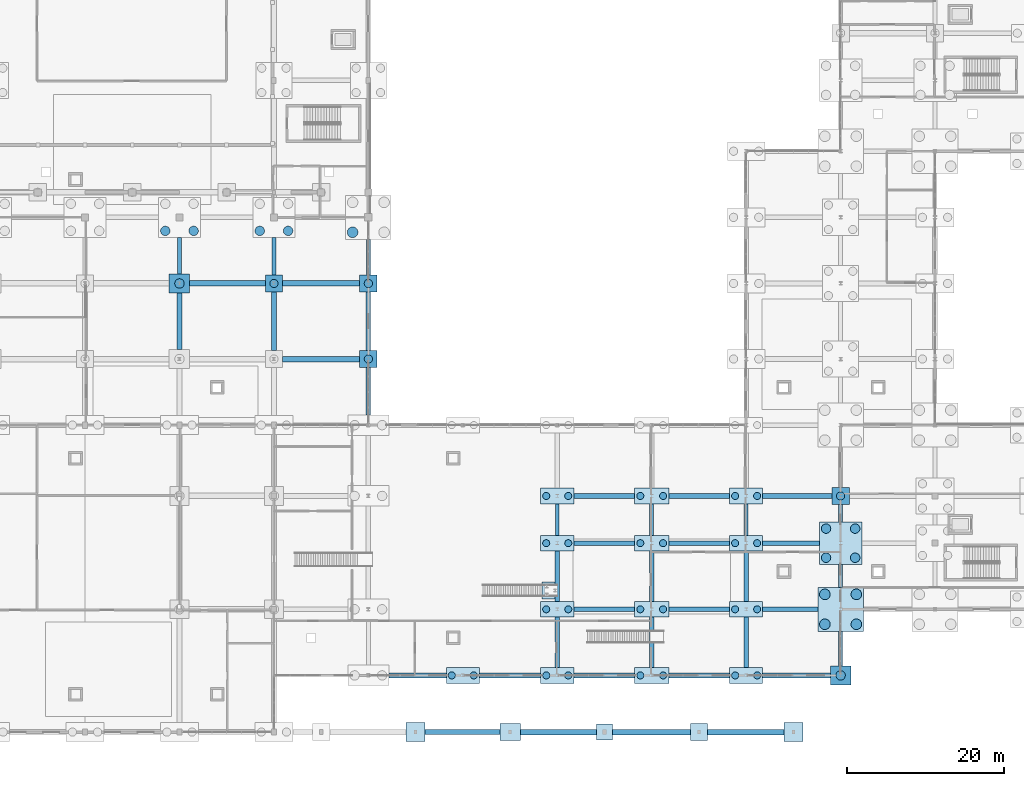
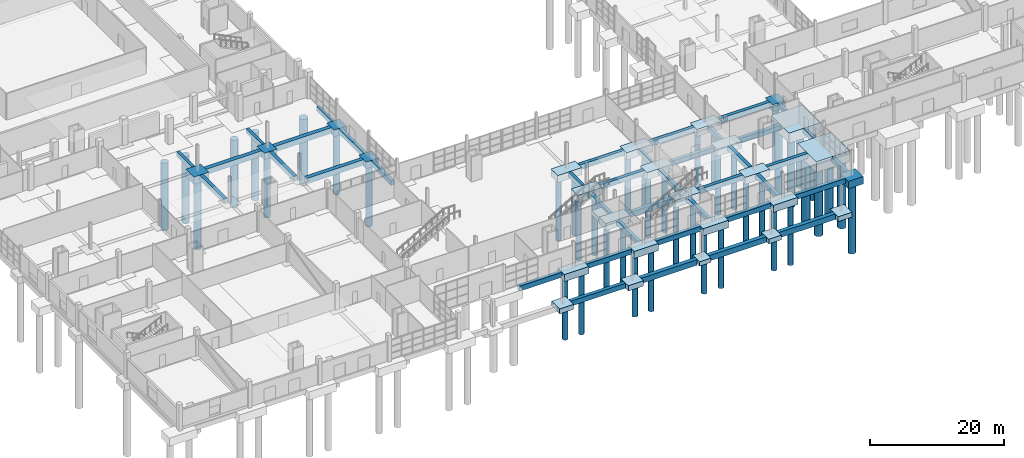
# One storey, part 2 of 82: 67 footings, 45 piles.
"""IFC4 building model written with IfcOpenShell, lengths in metres."""

import ifcopenshell
import ifcopenshell.guid

model = None  # the IFC model being written
_history = None  # IfcOwnerHistory: only IFC2X3 demands one
_inside = {}  # id of a spatial element -> (the spatial element, [elements in it])
_under = {}  # id of a project, library or spatial element -> (it, [spatial elements below it])
_declared = {}  # id of a project -> (the project, [libraries it declares])
_typed = {}  # id of a type object -> (the type object, [elements of that type])
_made_of = {}  # id of a material, layer set ... -> (it, [elements and type objects made of it])


def new_model(schema):
    """Start an empty IFC model of exactly this schema.

    Asked for "IFC4X3", IfcOpenShell would pick the latest addendum, in which some entities
    have other attributes; the version numbers below select the first issue.
    IFC2X3 requires an IfcOwnerHistory on every rooted entity: one is made here for all.
    """
    global model, _history
    if schema == "IFC4X3":
        model = ifcopenshell.file(schema_version=(4, 3, 0, 0))
    else:
        model = ifcopenshell.file(schema=schema)
    _inside.clear()
    _under.clear()
    _declared.clear()
    _typed.clear()
    _made_of.clear()
    _history = None
    if model.schema == "IFC2X3":
        org = make("IfcOrganization", Name="unknown")
        user = make(
            "IfcPersonAndOrganization",
            ThePerson=make("IfcPerson", FamilyName="unknown"),
            TheOrganization=org,
        )
        app = make(
            "IfcApplication",
            ApplicationDeveloper=org,
            Version="unknown",
            ApplicationFullName="unknown",
            ApplicationIdentifier="unknown",
        )
        _history = make(
            "IfcOwnerHistory",
            OwningUser=user,
            OwningApplication=app,
            ChangeAction="ADDED",
            CreationDate=0,
        )
    return model


def make(cls, **values):
    """One entity of the class cls with the attributes given. An attribute that is None is left unset."""
    return model.create_entity(
        cls, **{name: value for name, value in values.items() if value is not None}
    )


def rooted(cls, **values):
    """An entity with a GlobalId (a new one), such as an element, a storey or a relation."""
    return make(cls, GlobalId=ifcopenshell.guid.new(), OwnerHistory=_history, **values)


def si_unit(unit_type, name, prefix=None):
    """IfcSIUnit, for example si_unit("LENGTHUNIT", "METRE", prefix="MILLI")."""
    return make("IfcSIUnit", UnitType=unit_type, Prefix=prefix, Name=name)


def assignment(units):
    """IfcUnitAssignment: the units of a project."""
    return None if units is None else make("IfcUnitAssignment", Units=units)


def point(xyz):
    """IfcCartesianPoint."""
    return None if xyz is None else make("IfcCartesianPoint", Coordinates=xyz)


def direction(xyz):
    """IfcDirection."""
    return None if xyz is None else make("IfcDirection", DirectionRatios=xyz)


def frame(location, z_axis=None, x_axis=None):
    """IfcAxis2Placement3D, a coordinate frame: its origin and axes. An axis left out is left unset."""
    return make(
        "IfcAxis2Placement3D",
        Location=point(location),
        Axis=direction(z_axis),
        RefDirection=direction(x_axis),
    )


def frame_2d(location, x_axis=None):
    """IfcAxis2Placement2D, a coordinate frame in the plane: its origin and x axis."""
    return make(
        "IfcAxis2Placement2D", Location=point(location), RefDirection=direction(x_axis)
    )


def origin():
    """The frame at (0, 0, 0) with its axes left unset."""
    return frame((0.0, 0.0, 0.0))


def origin_2d():
    """The frame at (0, 0) in the plane with its x axis left unset."""
    return frame_2d((0.0, 0.0))


def place(relative_to, where):
    """IfcLocalPlacement: puts the frame where relative to a parent placement (None: the world)."""
    return make(
        "IfcLocalPlacement", PlacementRelTo=relative_to, RelativePlacement=where
    )


def context(
    kind, dimensions, precision=None, world=None, true_north=None, identifier=None
):
    """IfcGeometricRepresentationContext, for example the 3D "Model" context."""
    return make(
        "IfcGeometricRepresentationContext",
        ContextIdentifier=identifier,
        ContextType=kind,
        CoordinateSpaceDimension=dimensions,
        Precision=precision,
        WorldCoordinateSystem=world,
        TrueNorth=true_north,
    )


def subcontext(parent, identifier, kind, view, scale=None):
    """IfcGeometricRepresentationSubContext, for example "Body" below "Model"."""
    return make(
        "IfcGeometricRepresentationSubContext",
        ContextIdentifier=identifier,
        ContextType=kind,
        ParentContext=parent,
        TargetScale=scale,
        TargetView=view,
    )


def project(units=None, contexts=None):
    """IfcProject with its units and contexts."""
    return rooted(
        "IfcProject",
        Name="project",
        RepresentationContexts=contexts,
        UnitsInContext=assignment(units),
    )


def spatial(cls, under=None, at=None, **own):
    """A site, building, storey or space (cls), placed at a placement, below another one or the project."""
    s = rooted(cls, ObjectPlacement=at, **own)
    if under is not None:
        _under.setdefault(under.id(), (under, []))[1].append(s)
    return s


def profile(cls, at=None, kind="AREA", **sizes):
    """A parametric profile (cls). Its sizes go by their IFC names, for example OverallWidth=200.0."""
    return make(cls, ProfileType=kind, Position=at, **sizes)


def rectangle(**sizes):
    """IfcRectangleProfileDef."""
    return profile("IfcRectangleProfileDef", **sizes)


def circle(**sizes):
    """IfcCircleProfileDef."""
    return profile("IfcCircleProfileDef", **sizes)


def extrude(swept, where, along, depth):
    """IfcExtrudedAreaSolid: the profile swept, set in the frame where, extruded along a direction by depth."""
    return make(
        "IfcExtrudedAreaSolid",
        SweptArea=swept,
        Position=where,
        ExtrudedDirection=direction(along),
        Depth=depth,
    )


def shape(context_of_items, identifier, shape_type, items):
    """IfcShapeRepresentation: the items that make up one representation, for example the "Body"."""
    return make(
        "IfcShapeRepresentation",
        ContextOfItems=context_of_items,
        RepresentationIdentifier=identifier,
        RepresentationType=shape_type,
        Items=items,
    )


def material(Name=None, Category=None):
    """IfcMaterial."""
    return make("IfcMaterial", Name=Name, Category=Category)


def material_profile(
    of_material, cross_section, Name=None, Category=None, Priority=None
):
    """IfcMaterialProfile: a cross section and its material."""
    return make(
        "IfcMaterialProfile",
        Name=Name,
        Material=of_material,
        Profile=cross_section,
        Priority=Priority,
        Category=Category,
    )


def profile_set(profiles, Name=None, composite=None):
    """IfcMaterialProfileSet."""
    return make(
        "IfcMaterialProfileSet",
        Name=Name,
        MaterialProfiles=profiles,
        CompositeProfile=composite,
    )


def made_of(thing, what):
    """Note that an element or type object is made of a material, layer set ...; save() writes the relation."""
    if what is not None:
        _made_of.setdefault(what.id(), (what, []))[1].append(thing)
    return thing


def type_object(cls, material=None, **own):
    """A type object (cls), such as IfcWallType, which elements share."""
    return made_of(rooted(cls, **own), material)


def element(
    cls,
    number,
    at=None,
    inside=None,
    cuts=None,
    type_object=None,
    material=None,
    context=None,
    identifier="Body",
    shape_type=None,
    held_by="IfcProductDefinitionShape",
    body=None,
    shapes=None,
    **own,
):
    """One element of the class cls, such as IfcWall. Its Tag is "e" and its number.

    at: its placement. inside: the storey or other place that contains it. cuts: it is an
    opening in that element (IfcRelVoidsElement). A single representation is given by context,
    identifier, shape_type and body (its items); several are given by shapes. held_by: the class
    of the entity that holds the representations. save() writes the other relations.
    """
    e = rooted(cls, Tag="e%d" % number, ObjectPlacement=at, **own)
    if body is not None:
        shapes = [shape(context, identifier, shape_type, body)]
    if shapes is not None:
        e.Representation = make(held_by, Representations=shapes)
    if inside is not None:
        _inside.setdefault(inside.id(), (inside, []))[1].append(e)
    if cuts is not None:
        rooted(
            "IfcRelVoidsElement", RelatingBuildingElement=cuts, RelatedOpeningElement=e
        )
    if type_object is not None:
        _typed.setdefault(type_object.id(), (type_object, []))[1].append(e)
    return made_of(e, material)


def aggregate(whole, parts):
    """IfcRelAggregates: a whole, such as a stair, and the parts it consists of."""
    return rooted("IfcRelAggregates", RelatingObject=whole, RelatedObjects=parts)


def save(model, path):
    """Write the relations noted so far, then the file.

    IfcRelAggregates (storeys below a building ...), IfcRelContainedInSpatialStructure (elements
    in a storey), IfcRelDefinesByType, IfcRelAssociatesMaterial and IfcRelDeclares: one each for
    every whole, place, type object, material and project.
    """
    for whole, parts in _under.values():
        aggregate(whole, parts)
    for where, things in _inside.values():
        rooted(
            "IfcRelContainedInSpatialStructure",
            RelatedElements=things,
            RelatingStructure=where,
        )
    for kind, things in _typed.values():
        rooted("IfcRelDefinesByType", RelatedObjects=things, RelatingType=kind)
    for what, things in _made_of.values():
        rooted("IfcRelAssociatesMaterial", RelatedObjects=things, RelatingMaterial=what)
    for by, libraries in _declared.values():
        rooted("IfcRelDeclares", RelatingContext=by, RelatedDefinitions=libraries)
    model.write(path)


model = new_model("IFC4")

# Units and contexts
model_context = context("Model", 3, precision=1e-05, world=origin(), true_north=direction((0.0, 1.0)))
body_context = subcontext(model_context, "Body", "Model", "MODEL_VIEW")
ifc_project = project(units=[si_unit("LENGTHUNIT", "METRE"), si_unit("AREAUNIT", "SQUARE_METRE"), si_unit("VOLUMEUNIT", "CUBIC_METRE"), si_unit("PLANEANGLEUNIT", "RADIAN"), si_unit("MASSUNIT", "GRAM", prefix="KILO")], contexts=[model_context])

# Site, building, storey
site_placement = place(None, origin())
site = spatial("IfcSite", under=ifc_project, at=site_placement, CompositionType="ELEMENT")
building_placement = place(site_placement, origin())
building = spatial("IfcBuilding", under=site, at=building_placement, Name="Kelmvaro Bay Concert Hall", CompositionType="ELEMENT")
storey_placement = place(building_placement, origin())
storey = spatial("IfcBuildingStorey", under=building, at=storey_placement, Name="L00", CompositionType="ELEMENT", Elevation=0.0)

# Footings
ifc_material_1 = material(Name="Concrete C35/45", Category="concrete")
footing_type_1 = type_object("IfcFootingType", Name="Grade Tie Beam 500x800", PredefinedType="FOOTING_BEAM", material=ifc_material_1)
footing_1_placement = place(storey_placement, frame((36.0, 60.52490234375, -0.7998046875), z_axis=(0.0, 0.0, 1.0), x_axis=(0.0, 1.0, 0.0)))
element("IfcFooting", 1, at=footing_1_placement, inside=storey, type_object=footing_type_1, Name="Grade Tie Beam FDN-TB-133", PredefinedType="FOOTING_BEAM", context=body_context, shape_type="SweptSolid", body=[
    extrude(rectangle(XDim=4.64990234375, YDim=0.5, at=origin_2d()), origin(), (0.0, 0.0, 1.0), 0.800048828125),
])
footing_2_placement = place(storey_placement, frame((48.0, 60.47509765625, -0.7998046875), z_axis=(0.0, 0.0, 1.0), x_axis=(0.0, 1.0, 0.0)))
element("IfcFooting", 2, at=footing_2_placement, inside=storey, type_object=footing_type_1, Name="Grade Tie Beam FDN-TB-139", PredefinedType="FOOTING_BEAM", context=body_context, shape_type="SweptSolid", body=[
    extrude(rectangle(XDim=4.75, YDim=0.5, at=origin_2d()), origin(), (0.0, 0.0, 1.0), 0.800048828125),
])
footing_3_placement = place(storey_placement, frame((60.0, 60.35009765625, -0.7998046875), z_axis=(0.0, 0.0, 1.0), x_axis=(0.0, 1.0, 0.0)))
element("IfcFooting", 3, at=footing_3_placement, inside=storey, type_object=footing_type_1, Name="Grade Tie Beam FDN-TB-148", PredefinedType="FOOTING_BEAM", context=body_context, shape_type="SweptSolid", body=[
    extrude(rectangle(XDim=4.5, YDim=0.5, at=origin_2d()), origin(), (0.0, 0.0, 1.0), 0.800048828125),
])
for number, where, z_axis, x_axis, name in (
    (4, (84.0, 27.0, -0.7998046875), (0.0, 0.0, 1.0), (0.0, 1.0, 0.0), "Grade Tie Beam FDN-TB-154"),
    (5, (96.0, 27.0, -0.7998046875), (0.0, 0.0, 1.0), (0.0, 1.0, 0.0), "Grade Tie Beam FDN-TB-158"),
    (6, (108.0, 27.0, -0.7998046875), (0.0, 0.0, 1.0), (0.0, 1.0, 0.0), "Grade Tie Beam FDN-TB-162"),
):
    element("IfcFooting", number, at=place(storey_placement, frame(where, z_axis=z_axis, x_axis=x_axis)), inside=storey, type_object=footing_type_1, Name=name, PredefinedType="FOOTING_BEAM", context=body_context, shape_type="SweptSolid", body=[
        extrude(rectangle(XDim=4.0, YDim=0.5, at=origin_2d()), origin(), (0.0, 0.0, 1.0), 0.800048828125),
    ])
footing_4_placement = place(storey_placement, frame((120.0, 10.60009765625, -0.7998046875), z_axis=(0.0, 0.0, 1.0), x_axis=(0.0, 1.0, 0.0)))
element("IfcFooting", 7, at=footing_4_placement, inside=storey, type_object=footing_type_1, Name="Grade Tie Beam FDN-TB-168", PredefinedType="FOOTING_BEAM", context=body_context, shape_type="SweptSolid", body=[
    extrude(rectangle(XDim=4.39990234375, YDim=0.5, at=origin_2d()), origin(), (0.0, 0.0, 1.0), 0.800048828125),
])
footing_5_placement = place(storey_placement, frame((120.0, 19.85009765625, -0.7998046875), z_axis=(0.0, 0.0, 1.0), x_axis=(0.0, 1.0, 0.0)))
element("IfcFooting", 8, at=footing_5_placement, inside=storey, type_object=footing_type_1, Name="Grade Tie Beam FDN-TB-169", PredefinedType="FOOTING_BEAM", context=body_context, shape_type="SweptSolid", body=[
    extrude(rectangle(XDim=2.89990234375, YDim=0.5, at=origin_2d()), origin(), (0.0, 0.0, 1.0), 0.800048828125),
])
footing_6_placement = place(storey_placement, frame((120.0, 27.800048828125, -0.7998046875), z_axis=(0.0, 0.0, 1.0), x_axis=(0.0, 1.0, 0.0)))
element("IfcFooting", 9, at=footing_6_placement, inside=storey, type_object=footing_type_1, Name="Grade Tie Beam FDN-TB-170", PredefinedType="FOOTING_BEAM", context=body_context, shape_type="SweptSolid", body=[
    extrude(rectangle(XDim=2.199951171875, YDim=0.5, at=origin_2d()), origin(), (0.0, 0.0, 1.0), 0.800048828125),
])
ifc_material_2 = material(Name="Concrete C35/45", Category="concrete")
footing_type_2 = type_object("IfcFootingType", Name="Grade Tie Beam 600x900", PredefinedType="FOOTING_BEAM", material=ifc_material_2)
footing_7_placement = place(storey_placement, frame((71.949951171875, 0.0, -0.89990234375), z_axis=(0.0, 0.0, 1.0), x_axis=(1.0, 0.0, 0.0)))
element("IfcFooting", 10, at=footing_7_placement, inside=storey, type_object=footing_type_2, Name="Grade Tie Beam FDN-TB-007", PredefinedType="FOOTING_BEAM", context=body_context, shape_type="SweptSolid", body=[
    extrude(rectangle(XDim=9.5, YDim=0.60009765625, at=origin_2d()), origin(), (0.0, 0.0, 1.0), 0.89990234375),
])
footing_8_placement = place(storey_placement, frame((66.25, 7.199951171875, -0.89990234375), z_axis=(0.0, 0.0, 1.0), x_axis=(1.0, 0.0, 0.0)))
element("IfcFooting", 11, at=footing_8_placement, inside=storey, type_object=footing_type_2, Name="Grade Tie Beam FDN-TB-011", PredefinedType="FOOTING_BEAM", context=body_context, shape_type="SweptSolid", body=[
    extrude(rectangle(XDim=7.300048828125, YDim=0.60009765625, at=origin_2d()), origin(), (0.0, 0.0, 1.0), 0.89990234375),
])
footing_9_placement = place(storey_placement, frame((78.0, 7.199951171875, -0.89990234375), z_axis=(0.0, 0.0, 1.0), x_axis=(1.0, 0.0, 0.0)))
element("IfcFooting", 12, at=footing_9_placement, inside=storey, type_object=footing_type_2, Name="Grade Tie Beam FDN-TB-012", PredefinedType="FOOTING_BEAM", context=body_context, shape_type="SweptSolid", body=[
    extrude(rectangle(XDim=7.800048828125, YDim=0.60009765625, at=origin_2d()), origin(), (0.0, 0.0, 1.0), 0.89990234375),
])
for number, where, z_axis, x_axis, name in (
    (13, (89.949951171875, 7.199951171875, -0.89990234375), (0.0, 0.0, 1.0), (1.0, 0.0, 0.0), "Grade Tie Beam FDN-TB-013"),
    (14, (102.050048828125, 7.199951171875, -0.89990234375), (0.0, 0.0, 1.0), (1.0, 0.0, 0.0), "Grade Tie Beam FDN-TB-014"),
):
    element("IfcFooting", number, at=place(storey_placement, frame(where, z_axis=z_axis, x_axis=x_axis)), inside=storey, type_object=footing_type_2, Name=name, PredefinedType="FOOTING_BEAM", context=body_context, shape_type="SweptSolid", body=[
        extrude(rectangle(XDim=7.699951171875, YDim=0.60009765625, at=origin_2d()), origin(), (0.0, 0.0, 1.0), 0.89990234375),
    ])
footing_10_placement = place(storey_placement, frame((114.39990234375, 7.199951171875, -0.89990234375), z_axis=(0.0, 0.0, 1.0), x_axis=(1.0, 0.0, 0.0)))
element("IfcFooting", 15, at=footing_10_placement, inside=storey, type_object=footing_type_2, Name="Grade Tie Beam FDN-TB-015", PredefinedType="FOOTING_BEAM", context=body_context, shape_type="SweptSolid", body=[
    extrude(rectangle(XDim=8.60009765625, YDim=0.60009765625, at=origin_2d()), origin(), (0.0, 0.0, 1.0), 0.89990234375),
])
for number, where, z_axis, x_axis, name in (
    (16, (89.949951171875, 15.60009765625, -0.89990234375), (0.0, 0.0, 1.0), (1.0, 0.0, 0.0), "Grade Tie Beam FDN-TB-019"),
    (17, (102.050048828125, 15.60009765625, -0.89990234375), (0.0, 0.0, 1.0), (1.0, 0.0, 0.0), "Grade Tie Beam FDN-TB-020"),
):
    element("IfcFooting", number, at=place(storey_placement, frame(where, z_axis=z_axis, x_axis=x_axis)), inside=storey, type_object=footing_type_2, Name=name, PredefinedType="FOOTING_BEAM", context=body_context, shape_type="SweptSolid", body=[
        extrude(rectangle(XDim=7.699951171875, YDim=0.60009765625, at=origin_2d()), origin(), (0.0, 0.0, 1.0), 0.89990234375),
    ])
footing_11_placement = place(storey_placement, frame((113.60009765625, 15.60009765625, -0.89990234375), z_axis=(0.0, 0.0, 1.0), x_axis=(1.0, 0.0, 0.0)))
element("IfcFooting", 18, at=footing_11_placement, inside=storey, type_object=footing_type_2, Name="Grade Tie Beam FDN-TB-021", PredefinedType="FOOTING_BEAM", context=body_context, shape_type="SweptSolid", body=[
    extrude(rectangle(XDim=7.0, YDim=0.60009765625, at=origin_2d()), origin(), (0.0, 0.0, 1.0), 0.89990234375),
])
for number, where, z_axis, x_axis, name in (
    (19, (89.949951171875, 24.0, -0.89990234375), (0.0, 0.0, 1.0), (1.0, 0.0, 0.0), "Grade Tie Beam FDN-TB-026"),
    (20, (102.050048828125, 24.0, -0.89990234375), (0.0, 0.0, 1.0), (1.0, 0.0, 0.0), "Grade Tie Beam FDN-TB-027"),
):
    element("IfcFooting", number, at=place(storey_placement, frame(where, z_axis=z_axis, x_axis=x_axis)), inside=storey, type_object=footing_type_2, Name=name, PredefinedType="FOOTING_BEAM", context=body_context, shape_type="SweptSolid", body=[
        extrude(rectangle(XDim=7.699951171875, YDim=0.60009765625, at=origin_2d()), origin(), (0.0, 0.0, 1.0), 0.89990234375),
    ])
footing_12_placement = place(storey_placement, frame((113.699951171875, 24.0, -0.89990234375), z_axis=(0.0, 0.0, 1.0), x_axis=(1.0, 0.0, 0.0)))
element("IfcFooting", 21, at=footing_12_placement, inside=storey, type_object=footing_type_2, Name="Grade Tie Beam FDN-TB-028", PredefinedType="FOOTING_BEAM", context=body_context, shape_type="SweptSolid", body=[
    extrude(rectangle(XDim=7.199951171875, YDim=0.60009765625, at=origin_2d()), origin(), (0.0, 0.0, 1.0), 0.89990234375),
])
for number, where, z_axis, x_axis, name in (
    (22, (89.949951171875, 30.0, -0.89990234375), (0.0, 0.0, 1.0), (1.0, 0.0, 0.0), "Grade Tie Beam FDN-TB-034"),
    (23, (102.050048828125, 30.0, -0.89990234375), (0.0, 0.0, 1.0), (1.0, 0.0, 0.0), "Grade Tie Beam FDN-TB-035"),
):
    element("IfcFooting", number, at=place(storey_placement, frame(where, z_axis=z_axis, x_axis=x_axis)), inside=storey, type_object=footing_type_2, Name=name, PredefinedType="FOOTING_BEAM", context=body_context, shape_type="SweptSolid", body=[
        extrude(rectangle(XDim=7.699951171875, YDim=0.60009765625, at=origin_2d()), origin(), (0.0, 0.0, 1.0), 0.89990234375),
    ])
footing_13_placement = place(storey_placement, frame((114.5, 30.0, -0.89990234375), z_axis=(0.0, 0.0, 1.0), x_axis=(1.0, 0.0, 0.0)))
element("IfcFooting", 24, at=footing_13_placement, inside=storey, type_object=footing_type_2, Name="Grade Tie Beam FDN-TB-036", PredefinedType="FOOTING_BEAM", context=body_context, shape_type="SweptSolid", body=[
    extrude(rectangle(XDim=8.800048828125, YDim=0.60009765625, at=origin_2d()), origin(), (0.0, 0.0, 1.0), 0.89990234375),
])
footing_14_placement = place(storey_placement, frame((36.0, 52.199951171875, -0.89990234375), z_axis=(0.0, 0.0, 1.0), x_axis=(0.0, 1.0, 0.0)))
element("IfcFooting", 25, at=footing_14_placement, inside=storey, type_object=footing_type_2, Name="Grade Tie Beam FDN-TB-132", PredefinedType="FOOTING_BEAM", context=body_context, shape_type="SweptSolid", body=[
    extrude(rectangle(XDim=7.199951171875, YDim=0.60009765625, at=origin_2d()), origin(), (0.0, 0.0, 1.0), 0.89990234375),
])
footing_15_placement = place(storey_placement, frame((48.0, 52.199951171875, -0.89990234375), z_axis=(0.0, 0.0, 1.0), x_axis=(0.0, 1.0, 0.0)))
element("IfcFooting", 26, at=footing_15_placement, inside=storey, type_object=footing_type_2, Name="Grade Tie Beam FDN-TB-138", PredefinedType="FOOTING_BEAM", context=body_context, shape_type="SweptSolid", body=[
    extrude(rectangle(XDim=7.39990234375, YDim=0.60009765625, at=origin_2d()), origin(), (0.0, 0.0, 1.0), 0.89990234375),
])
footing_16_placement = place(storey_placement, frame((60.0, 43.300048828125, -0.89990234375), z_axis=(0.0, 0.0, 1.0), x_axis=(0.0, 1.0, 0.0)))
element("IfcFooting", 27, at=footing_16_placement, inside=storey, type_object=footing_type_2, Name="Grade Tie Beam FDN-TB-146", PredefinedType="FOOTING_BEAM", context=body_context, shape_type="SweptSolid", body=[
    extrude(rectangle(XDim=6.0, YDim=0.60009765625, at=origin_2d()), origin(), (0.0, 0.0, 1.0), 0.89990234375),
])
footing_17_placement = place(storey_placement, frame((60.0, 52.199951171875, -0.89990234375), z_axis=(0.0, 0.0, 1.0), x_axis=(0.0, 1.0, 0.0)))
element("IfcFooting", 28, at=footing_17_placement, inside=storey, type_object=footing_type_2, Name="Grade Tie Beam FDN-TB-147", PredefinedType="FOOTING_BEAM", context=body_context, shape_type="SweptSolid", body=[
    extrude(rectangle(XDim=7.39990234375, YDim=0.60009765625, at=origin_2d()), origin(), (0.0, 0.0, 1.0), 0.89990234375),
])
for number, where, z_axis, x_axis, name in (
    (29, (84.0, 11.39990234375, -0.89990234375), (0.0, 0.0, 1.0), (0.0, 1.0, 0.0), "Grade Tie Beam FDN-TB-152"),
    (30, (84.0, 19.800048828125, -0.89990234375), (0.0, 0.0, 1.0), (0.0, 1.0, 0.0), "Grade Tie Beam FDN-TB-153"),
    (31, (96.0, 11.39990234375, -0.89990234375), (0.0, 0.0, 1.0), (0.0, 1.0, 0.0), "Grade Tie Beam FDN-TB-156"),
    (32, (96.0, 19.800048828125, -0.89990234375), (0.0, 0.0, 1.0), (0.0, 1.0, 0.0), "Grade Tie Beam FDN-TB-157"),
    (33, (108.0, 11.39990234375, -0.89990234375), (0.0, 0.0, 1.0), (0.0, 1.0, 0.0), "Grade Tie Beam FDN-TB-160"),
    (34, (108.0, 19.800048828125, -0.89990234375), (0.0, 0.0, 1.0), (0.0, 1.0, 0.0), "Grade Tie Beam FDN-TB-161"),
):
    element("IfcFooting", number, at=place(storey_placement, frame(where, z_axis=z_axis, x_axis=x_axis)), inside=storey, type_object=footing_type_2, Name=name, PredefinedType="FOOTING_BEAM", context=body_context, shape_type="SweptSolid", body=[
        extrude(rectangle(XDim=6.39990234375, YDim=0.60009765625, at=origin_2d()), origin(), (0.0, 0.0, 1.0), 0.89990234375),
    ])
ifc_material_3 = material(Name="Concrete C35/45", Category="concrete")
footing_type_3 = type_object("IfcFootingType", Name="Grade Tie Beam 700x1000", PredefinedType="FOOTING_BEAM", material=ifc_material_3)
footing_18_placement = place(storey_placement, frame((84.14990234375, 0.0, -1.0), z_axis=(0.0, 0.0, 1.0), x_axis=(1.0, 0.0, 0.0)))
element("IfcFooting", 35, at=footing_18_placement, inside=storey, type_object=footing_type_3, Name="Grade Tie Beam FDN-TB-008", PredefinedType="FOOTING_BEAM", context=body_context, shape_type="SweptSolid", body=[
    extrude(rectangle(XDim=9.699951171875, YDim=0.699951171875, at=origin_2d()), origin(), (0.0, 0.0, 1.0), 1.0),
])
footing_19_placement = place(storey_placement, frame((95.949951171875, 0.0, -1.0), z_axis=(0.0, 0.0, 1.0), x_axis=(1.0, 0.0, 0.0)))
element("IfcFooting", 36, at=footing_19_placement, inside=storey, type_object=footing_type_3, Name="Grade Tie Beam FDN-TB-009", PredefinedType="FOOTING_BEAM", context=body_context, shape_type="SweptSolid", body=[
    extrude(rectangle(XDim=9.89990234375, YDim=0.699951171875, at=origin_2d()), origin(), (0.0, 0.0, 1.0), 1.0),
])
footing_20_placement = place(storey_placement, frame((107.949951171875, 0.0, -1.0), z_axis=(0.0, 0.0, 1.0), x_axis=(1.0, 0.0, 0.0)))
element("IfcFooting", 37, at=footing_20_placement, inside=storey, type_object=footing_type_3, Name="Grade Tie Beam FDN-TB-010", PredefinedType="FOOTING_BEAM", context=body_context, shape_type="SweptSolid", body=[
    extrude(rectangle(XDim=9.699951171875, YDim=0.699951171875, at=origin_2d()), origin(), (0.0, 0.0, 1.0), 1.0),
])
footing_21_placement = place(storey_placement, frame((54.0, 47.39990234375, -1.0), z_axis=(0.0, 0.0, 1.0), x_axis=(1.0, 0.0, 0.0)))
element("IfcFooting", 38, at=footing_21_placement, inside=storey, type_object=footing_type_3, Name="Grade Tie Beam FDN-TB-059", PredefinedType="FOOTING_BEAM", context=body_context, shape_type="SweptSolid", body=[
    extrude(rectangle(XDim=9.800048828125, YDim=0.699951171875, at=origin_2d()), origin(), (0.0, 0.0, 1.0), 1.0),
])
footing_22_placement = place(storey_placement, frame((42.10009765625, 57.0, -1.0), z_axis=(0.0, 0.0, 1.0), x_axis=(1.0, 0.0, 0.0)))
element("IfcFooting", 39, at=footing_22_placement, inside=storey, type_object=footing_type_3, Name="Grade Tie Beam FDN-TB-065", PredefinedType="FOOTING_BEAM", context=body_context, shape_type="SweptSolid", body=[
    extrude(rectangle(XDim=9.60009765625, YDim=0.699951171875, at=origin_2d()), origin(), (0.0, 0.0, 1.0), 1.0),
])
footing_23_placement = place(storey_placement, frame((54.0, 57.0, -1.0), z_axis=(0.0, 0.0, 1.0), x_axis=(1.0, 0.0, 0.0)))
element("IfcFooting", 40, at=footing_23_placement, inside=storey, type_object=footing_type_3, Name="Grade Tie Beam FDN-TB-066", PredefinedType="FOOTING_BEAM", context=body_context, shape_type="SweptSolid", body=[
    extrude(rectangle(XDim=9.800048828125, YDim=0.699951171875, at=origin_2d()), origin(), (0.0, 0.0, 1.0), 1.0),
])
ifc_material_4 = material(Name="Concrete C35/45", Category="concrete")
footing_type_4 = type_object("IfcFootingType", Name="Pad Footing 2000x2000x800", PredefinedType="PAD_FOOTING", material=ifc_material_4)
footing_24_placement = place(storey_placement, frame((90.0, 0.0, -0.7998046875), z_axis=(0.0, 0.0, 1.0), x_axis=(1.0, 0.0, 0.0)))
element("IfcFooting", 41, at=footing_24_placement, inside=storey, type_object=footing_type_4, Name="Pad Footing FDN-PF-137", PredefinedType="PAD_FOOTING", context=body_context, shape_type="SweptSolid", body=[
    extrude(rectangle(XDim=2.0, YDim=2.0, at=origin_2d()), origin(), (0.0, 0.0, 1.0), 0.800048828125),
])
ifc_material_5 = material(Name="Concrete C35/45", Category="concrete")
footing_type_5 = type_object("IfcFootingType", Name="Pad Footing 2200x2200x850", PredefinedType="PAD_FOOTING", material=ifc_material_5)
for number, where, z_axis, x_axis, name in (
    (42, (102.0, 0.0, -0.85009765625), (0.0, 0.0, 1.0), (1.0, 0.0, 0.0), "Pad Footing FDN-PF-138"),
    (43, (83.14990234375, 18.0, -1.239990234375), (0.0, 0.0, 1.0), (1.0, 0.0, 0.0), "Feature Stair Combined Pad Footing 01"),
):
    element("IfcFooting", number, at=place(storey_placement, frame(where, z_axis=z_axis, x_axis=x_axis)), inside=storey, type_object=footing_type_5, Name=name, PredefinedType="PAD_FOOTING", context=body_context, shape_type="SweptSolid", body=[
        extrude(rectangle(XDim=2.199951171875, YDim=2.199951171875, at=origin_2d()), origin(), (0.0, 0.0, 1.0), 0.85009765625),
    ])
ifc_material_6 = material(Name="Concrete C35/45", Category="concrete")
footing_type_6 = type_object("IfcFootingType", Name="Pad Footing 2400x2400x900", PredefinedType="PAD_FOOTING", material=ifc_material_6)
for number, where, z_axis, x_axis, name in (
    (44, (66.0, 0.0, -0.89990234375), (0.0, 0.0, 1.0), (1.0, 0.0, 0.0), "Pad Footing FDN-PF-135"),
    (45, (114.0, 0.0, -0.89990234375), (0.0, 0.0, 1.0), (1.0, 0.0, 0.0), "Pad Footing FDN-PF-139"),
):
    element("IfcFooting", number, at=place(storey_placement, frame(where, z_axis=z_axis, x_axis=x_axis)), inside=storey, type_object=footing_type_6, Name=name, PredefinedType="PAD_FOOTING", context=body_context, shape_type="SweptSolid", body=[
        extrude(rectangle(XDim=2.39990234375, YDim=2.39990234375, at=origin_2d()), origin(), (0.0, 0.0, 1.0), 0.89990234375),
    ])
ifc_material_7 = material(Name="Concrete C35/45", Category="concrete")
footing_type_7 = type_object("IfcFootingType", Name="Pad Footing 2600x2200x950", PredefinedType="PAD_FOOTING", material=ifc_material_7)
footing_25_placement = place(storey_placement, frame((78.0, 0.0, -0.9501953125), z_axis=(0.0, 0.0, 1.0), x_axis=(1.0, 0.0, 0.0)))
element("IfcFooting", 46, at=footing_25_placement, inside=storey, type_object=footing_type_7, Name="Pad Footing FDN-PF-136", PredefinedType="PAD_FOOTING", context=body_context, shape_type="SweptSolid", body=[
    extrude(rectangle(XDim=2.60009765625, YDim=2.199951171875, at=origin_2d()), origin(), (0.0, 0.0, 1.0), 0.949951171875),
])
ifc_material_8 = material(Name="Concrete C35/45", Category="concrete")
footing_type_8 = type_object("IfcFootingType", Name="Pile Cap 2200x2200x1200", PredefinedType="PILE_CAP", material=ifc_material_8)
for number, where, z_axis, x_axis, name in (
    (47, (120.0, 30.0, -1.2001953125), (0.0, 0.0, 1.0), (1.0, 0.0, 0.0), "Pile Cap FDN-PC-073"),
    (48, (48.0, 57.0, -1.2001953125), (0.0, 0.0, 1.0), (1.0, 0.0, 0.0), "Pile Cap FDN-PC-121"),
    (49, (60.0, 47.39990234375, -1.2001953125), (0.0, 0.0, 1.0), (1.0, 0.0, 0.0), "Pile Cap FDN-PC-122"),
    (50, (60.0, 57.0, -1.2001953125), (0.0, 0.0, 1.0), (1.0, 0.0, 0.0), "Pile Cap FDN-PC-123"),
):
    element("IfcFooting", number, at=place(storey_placement, frame(where, z_axis=z_axis, x_axis=x_axis)), inside=storey, type_object=footing_type_8, Name=name, PredefinedType="PILE_CAP", context=body_context, shape_type="SweptSolid", body=[
        extrude(rectangle(XDim=2.199951171875, YDim=2.199951171875, at=origin_2d()), origin(), (0.0, 0.0, 1.0), 1.199951171875),
    ])
ifc_material_9 = material(Name="Concrete C35/45", Category="concrete")
footing_type_9 = type_object("IfcFootingType", Name="Pile Cap 2600x2400x1350", PredefinedType="PILE_CAP", material=ifc_material_9)
for number, where, z_axis, x_axis, name in (
    (51, (120.0, 7.199951171875, -1.35009765625), (0.0, 0.0, 1.0), (1.0, 0.0, 0.0), "Pile Cap FDN-PC-111"),
    (52, (36.0, 57.0, -1.35009765625), (0.0, 0.0, 1.0), (1.0, 0.0, 0.0), "Pile Cap FDN-PC-119"),
):
    element("IfcFooting", number, at=place(storey_placement, frame(where, z_axis=z_axis, x_axis=x_axis)), inside=storey, type_object=footing_type_9, Name=name, PredefinedType="PILE_CAP", context=body_context, shape_type="SweptSolid", body=[
        extrude(rectangle(XDim=2.60009765625, YDim=2.39990234375, at=origin_2d()), origin(), (0.0, 0.0, 1.0), 1.35009765625),
    ])
ifc_material_10 = material(Name="Concrete C35/45", Category="concrete")
footing_type_10 = type_object("IfcFootingType", Name="Pile Cap 4200x2000x1300", PredefinedType="PILE_CAP", material=ifc_material_10)
for number, where, z_axis, x_axis, name in (
    (53, (72.0, 7.199951171875, -1.2998046875), (0.0, 0.0, 1.0), (1.0, 0.0, 0.0), "Pile Cap FDN-PC-094"),
    (54, (84.0, 7.199951171875, -1.2998046875), (0.0, 0.0, 1.0), (1.0, 0.0, 0.0), "Pile Cap FDN-PC-096"),
    (55, (84.0, 15.60009765625, -1.2998046875), (0.0, 0.0, 1.0), (1.0, 0.0, 0.0), "Pile Cap FDN-PC-097"),
    (56, (84.0, 24.0, -1.2998046875), (0.0, 0.0, 1.0), (1.0, 0.0, 0.0), "Pile Cap FDN-PC-098"),
    (57, (84.0, 30.0, -1.2998046875), (0.0, 0.0, 1.0), (1.0, 0.0, 0.0), "Pile Cap FDN-PC-099"),
    (58, (108.0, 7.199951171875, -1.2998046875), (0.0, 0.0, 1.0), (1.0, 0.0, 0.0), "Pile Cap FDN-PC-106"),
    (59, (108.0, 15.60009765625, -1.2998046875), (0.0, 0.0, 1.0), (1.0, 0.0, 0.0), "Pile Cap FDN-PC-107"),
    (60, (108.0, 24.0, -1.2998046875), (0.0, 0.0, 1.0), (1.0, 0.0, 0.0), "Pile Cap FDN-PC-108"),
    (61, (108.0, 30.0, -1.2998046875), (0.0, 0.0, 1.0), (1.0, 0.0, 0.0), "Pile Cap FDN-PC-109"),
):
    element("IfcFooting", number, at=place(storey_placement, frame(where, z_axis=z_axis, x_axis=x_axis)), inside=storey, type_object=footing_type_10, Name=name, PredefinedType="PILE_CAP", context=body_context, shape_type="SweptSolid", body=[
        extrude(rectangle(XDim=4.199951171875, YDim=2.0, at=origin_2d()), origin(), (0.0, 0.0, 1.0), 1.300048828125),
    ])
ifc_material_11 = material(Name="Concrete C35/45", Category="concrete")
footing_type_11 = type_object("IfcFootingType", Name="Pile Cap 4400x2000x1350", PredefinedType="PILE_CAP", material=ifc_material_11)
for number, where, z_axis, x_axis, name in (
    (62, (96.0, 7.199951171875, -1.35009765625), (0.0, 0.0, 1.0), (1.0, 0.0, 0.0), "Pile Cap FDN-PC-101"),
    (63, (96.0, 15.60009765625, -1.35009765625), (0.0, 0.0, 1.0), (1.0, 0.0, 0.0), "Pile Cap FDN-PC-102"),
    (64, (96.0, 24.0, -1.35009765625), (0.0, 0.0, 1.0), (1.0, 0.0, 0.0), "Pile Cap FDN-PC-103"),
    (65, (96.0, 30.0, -1.35009765625), (0.0, 0.0, 1.0), (1.0, 0.0, 0.0), "Pile Cap FDN-PC-104"),
):
    element("IfcFooting", number, at=place(storey_placement, frame(where, z_axis=z_axis, x_axis=x_axis)), inside=storey, type_object=footing_type_11, Name=name, PredefinedType="PILE_CAP", context=body_context, shape_type="SweptSolid", body=[
        extrude(rectangle(XDim=4.39990234375, YDim=2.0, at=origin_2d()), origin(), (0.0, 0.0, 1.0), 1.35009765625),
    ])
ifc_material_12 = material(Name="Concrete C35/45", Category="concrete")
footing_type_12 = type_object("IfcFootingType", Name="Pile Cap 5400x5400x1850", PredefinedType="PILE_CAP", material=ifc_material_12)
footing_26_placement = place(storey_placement, frame((120.0, 24.0, -1.85009765625), z_axis=(0.0, 0.0, 1.0), x_axis=(1.0, 0.0, 0.0)))
element("IfcFooting", 66, at=footing_26_placement, inside=storey, type_object=footing_type_12, Name="Pile Cap FDN-PC-072", PredefinedType="PILE_CAP", context=body_context, shape_type="SweptSolid", body=[
    extrude(rectangle(XDim=5.39990234375, YDim=5.39990234375, at=origin_2d()), origin(), (0.0, 0.0, 1.0), 1.85009765625),
])
ifc_material_13 = material(Name="Concrete C35/45", Category="concrete")
footing_type_13 = type_object("IfcFootingType", Name="Pile Cap 5800x5600x1950", PredefinedType="PILE_CAP", material=ifc_material_13)
footing_27_placement = place(storey_placement, frame((120.0, 15.60009765625, -1.9501953125), z_axis=(0.0, 0.0, 1.0), x_axis=(1.0, 0.0, 0.0)))
element("IfcFooting", 67, at=footing_27_placement, inside=storey, type_object=footing_type_13, Name="Pile Cap FDN-PC-071", PredefinedType="PILE_CAP", context=body_context, shape_type="SweptSolid", body=[
    extrude(rectangle(XDim=5.800048828125, YDim=5.60009765625, at=origin_2d()), origin(), (0.0, 0.0, 1.0), 1.949951171875),
])

# Piles
ifc_material_14 = material(Name="Concrete C35/45", Category="concrete")
ifc_material_profile_1 = material_profile(ifc_material_14, circle(Radius=0.52490234375, at=origin_2d()), Name="PILE-BORED-1050")
ifc_profile_set_1 = profile_set([ifc_material_profile_1], Name="Concrete C35/45")
pile_type_1 = type_object("IfcPileType", Name="Rock Shaft Bored Pile D1050", PredefinedType="BORED", material=ifc_profile_set_1)
for number, where, z_axis, x_axis, name in (
    (68, (120.0, 30.0, -1.10009765625), (0.0, 0.0, -1.0), (1.0, 0.0, 0.0), "Bored Rock Shaft FDN-BP-0185"),
    (69, (48.0, 57.0, -1.10009765625), (0.0, 0.0, -1.0), (1.0, 0.0, 0.0), "Bored Rock Shaft FDN-BP-0292"),
    (70, (60.0, 47.39990234375, -1.10009765625), (0.0, 0.0, -1.0), (1.0, 0.0, 0.0), "Bored Rock Shaft FDN-BP-0293"),
    (71, (60.0, 57.0, -1.10009765625), (0.0, 0.0, -1.0), (1.0, 0.0, 0.0), "Bored Rock Shaft FDN-BP-0294"),
):
    element("IfcPile", number, at=place(storey_placement, frame(where, z_axis=z_axis, x_axis=x_axis)), inside=storey, type_object=pile_type_1, Name=name, PredefinedType="BORED", context=body_context, shape_type="SweptSolid", body=[
        extrude(circle(Radius=0.52490234375, at=origin_2d()), origin(), (0.0, 0.0, 1.0), 11.39990234375),
    ])
ifc_material_15 = material(Name="Concrete C35/45", Category="concrete")
ifc_material_profile_2 = material_profile(ifc_material_15, circle(Radius=0.60009765625, at=origin_2d()), Name="PILE-BORED-1200")
ifc_profile_set_2 = profile_set([ifc_material_profile_2], Name="Concrete C35/45")
pile_type_2 = type_object("IfcPileType", Name="Rock Shaft Bored Pile D1200", PredefinedType="BORED", material=ifc_profile_set_2)
for number, where, z_axis, x_axis, name in (
    (72, (34.199951171875, 63.679931640625, -1.699951171875), (0.0, 0.0, -1.0), (1.0, 0.0, 0.0), "Bored Rock Shaft FDN-BP-0025"),
    (73, (37.800048828125, 63.679931640625, -1.699951171875), (0.0, 0.0, -1.0), (1.0, 0.0, 0.0), "Bored Rock Shaft FDN-BP-0026"),
    (74, (46.199951171875, 63.679931640625, -1.699951171875), (0.0, 0.0, -1.0), (1.0, 0.0, 0.0), "Bored Rock Shaft FDN-BP-0033"),
    (75, (49.800048828125, 63.679931640625, -1.699951171875), (0.0, 0.0, -1.0), (1.0, 0.0, 0.0), "Bored Rock Shaft FDN-BP-0034"),
):
    element("IfcPile", number, at=place(storey_placement, frame(where, z_axis=z_axis, x_axis=x_axis)), inside=storey, type_object=pile_type_2, Name=name, PredefinedType="BORED", context=body_context, shape_type="SweptSolid", body=[
        extrude(circle(Radius=0.60009765625, at=origin_2d()), origin(), (0.0, 0.0, 1.0), 12.300048828125),
    ])
for number, where, z_axis, x_axis, name in (
    (76, (118.14990234375, 22.14990234375, -1.75), (0.0, 0.0, -1.0), (1.0, 0.0, 0.0), "Bored Rock Shaft FDN-BP-0181"),
    (77, (121.85009765625, 22.14990234375, -1.75), (0.0, 0.0, -1.0), (1.0, 0.0, 0.0), "Bored Rock Shaft FDN-BP-0182"),
    (78, (118.14990234375, 25.85009765625, -1.75), (0.0, 0.0, -1.0), (1.0, 0.0, 0.0), "Bored Rock Shaft FDN-BP-0183"),
    (79, (121.85009765625, 25.85009765625, -1.75), (0.0, 0.0, -1.0), (1.0, 0.0, 0.0), "Bored Rock Shaft FDN-BP-0184"),
):
    element("IfcPile", number, at=place(storey_placement, frame(where, z_axis=z_axis, x_axis=x_axis)), inside=storey, type_object=pile_type_2, Name=name, PredefinedType="BORED", context=body_context, shape_type="SweptSolid", body=[
        extrude(circle(Radius=0.60009765625, at=origin_2d()), origin(), (0.0, 0.0, 1.0), 12.25),
    ])
for number, where, z_axis, x_axis, name in (
    (80, (120.0, 7.199951171875, -1.25), (0.0, 0.0, -1.0), (1.0, 0.0, 0.0), "Bored Rock Shaft FDN-BP-0282"),
    (81, (36.0, 57.0, -1.25), (0.0, 0.0, -1.0), (1.0, 0.0, 0.0), "Bored Rock Shaft FDN-BP-0290"),
):
    element("IfcPile", number, at=place(storey_placement, frame(where, z_axis=z_axis, x_axis=x_axis)), inside=storey, type_object=pile_type_2, Name=name, PredefinedType="BORED", context=body_context, shape_type="SweptSolid", body=[
        extrude(circle(Radius=0.60009765625, at=origin_2d()), origin(), (0.0, 0.0, 1.0), 12.75),
    ])
ifc_material_16 = material(Name="Concrete C35/45", Category="concrete")
ifc_material_profile_3 = material_profile(ifc_material_16, circle(Radius=0.675048828125, at=origin_2d()), Name="PILE-BORED-1350")
ifc_profile_set_3 = profile_set([ifc_material_profile_3], Name="Concrete C35/45")
pile_type_3 = type_object("IfcPileType", Name="Rock Shaft Bored Pile D1350", PredefinedType="BORED", material=ifc_profile_set_3)
for number, where, z_axis, x_axis, name in (
    (82, (58.0, 63.5, -1.85009765625), (0.0, 0.0, -1.0), (1.0, 0.0, 0.0), "Bored Rock Shaft FDN-BP-0041"),
    (83, (118.0, 13.699951171875, -1.85009765625), (0.0, 0.0, -1.0), (1.0, 0.0, 0.0), "Bored Rock Shaft FDN-BP-0177"),
    (84, (122.0, 13.699951171875, -1.85009765625), (0.0, 0.0, -1.0), (1.0, 0.0, 0.0), "Bored Rock Shaft FDN-BP-0178"),
    (85, (118.0, 17.5, -1.85009765625), (0.0, 0.0, -1.0), (1.0, 0.0, 0.0), "Bored Rock Shaft FDN-BP-0179"),
    (86, (122.0, 17.5, -1.85009765625), (0.0, 0.0, -1.0), (1.0, 0.0, 0.0), "Bored Rock Shaft FDN-BP-0180"),
):
    element("IfcPile", number, at=place(storey_placement, frame(where, z_axis=z_axis, x_axis=x_axis)), inside=storey, type_object=pile_type_3, Name=name, PredefinedType="BORED", context=body_context, shape_type="SweptSolid", body=[
        extrude(circle(Radius=0.675048828125, at=origin_2d()), origin(), (0.0, 0.0, 1.0), 12.14990234375),
    ])
ifc_material_17 = material(Name="Concrete C35/45", Category="concrete")
ifc_material_profile_4 = material_profile(ifc_material_17, circle(Radius=0.449951171875, at=origin_2d()), Name="PILE-BORED-900")
ifc_profile_set_4 = profile_set([ifc_material_profile_4], Name="Concrete C35/45")
pile_type_4 = type_object("IfcPileType", Name="Rock Shaft Bored Pile D900", PredefinedType="BORED", material=ifc_profile_set_4)
for number, where, z_axis, x_axis, name in (
    (87, (70.60009765625, 7.199951171875, -1.199951171875), (0.0, 0.0, -1.0), (1.0, 0.0, 0.0), "Bored Rock Shaft FDN-BP-0248"),
    (88, (73.39990234375, 7.199951171875, -1.199951171875), (0.0, 0.0, -1.0), (1.0, 0.0, 0.0), "Bored Rock Shaft FDN-BP-0249"),
    (89, (82.60009765625, 7.199951171875, -1.199951171875), (0.0, 0.0, -1.0), (1.0, 0.0, 0.0), "Bored Rock Shaft FDN-BP-0252"),
    (90, (85.39990234375, 7.199951171875, -1.199951171875), (0.0, 0.0, -1.0), (1.0, 0.0, 0.0), "Bored Rock Shaft FDN-BP-0253"),
    (91, (82.60009765625, 15.60009765625, -1.199951171875), (0.0, 0.0, -1.0), (1.0, 0.0, 0.0), "Bored Rock Shaft FDN-BP-0254"),
    (92, (85.39990234375, 15.60009765625, -1.199951171875), (0.0, 0.0, -1.0), (1.0, 0.0, 0.0), "Bored Rock Shaft FDN-BP-0255"),
    (93, (82.60009765625, 24.0, -1.199951171875), (0.0, 0.0, -1.0), (1.0, 0.0, 0.0), "Bored Rock Shaft FDN-BP-0256"),
    (94, (85.39990234375, 24.0, -1.199951171875), (0.0, 0.0, -1.0), (1.0, 0.0, 0.0), "Bored Rock Shaft FDN-BP-0257"),
    (95, (82.60009765625, 30.0, -1.199951171875), (0.0, 0.0, -1.0), (1.0, 0.0, 0.0), "Bored Rock Shaft FDN-BP-0258"),
    (96, (85.39990234375, 30.0, -1.199951171875), (0.0, 0.0, -1.0), (1.0, 0.0, 0.0), "Bored Rock Shaft FDN-BP-0259"),
):
    element("IfcPile", number, at=place(storey_placement, frame(where, z_axis=z_axis, x_axis=x_axis)), inside=storey, type_object=pile_type_4, Name=name, PredefinedType="BORED", context=body_context, shape_type="SweptSolid", body=[
        extrude(circle(Radius=0.449951171875, at=origin_2d()), origin(), (0.0, 0.0, 1.0), 11.300048828125),
    ])
for number, where, z_axis, x_axis, name in (
    (97, (94.550048828125, 7.199951171875, -1.25), (0.0, 0.0, -1.0), (1.0, 0.0, 0.0), "Bored Rock Shaft FDN-BP-0262"),
    (98, (97.449951171875, 7.199951171875, -1.25), (0.0, 0.0, -1.0), (1.0, 0.0, 0.0), "Bored Rock Shaft FDN-BP-0263"),
    (99, (94.550048828125, 15.60009765625, -1.25), (0.0, 0.0, -1.0), (1.0, 0.0, 0.0), "Bored Rock Shaft FDN-BP-0264"),
    (100, (97.449951171875, 15.60009765625, -1.25), (0.0, 0.0, -1.0), (1.0, 0.0, 0.0), "Bored Rock Shaft FDN-BP-0265"),
    (101, (94.550048828125, 24.0, -1.25), (0.0, 0.0, -1.0), (1.0, 0.0, 0.0), "Bored Rock Shaft FDN-BP-0266"),
    (102, (97.449951171875, 24.0, -1.25), (0.0, 0.0, -1.0), (1.0, 0.0, 0.0), "Bored Rock Shaft FDN-BP-0267"),
    (103, (94.550048828125, 30.0, -1.25), (0.0, 0.0, -1.0), (1.0, 0.0, 0.0), "Bored Rock Shaft FDN-BP-0268"),
    (104, (97.449951171875, 30.0, -1.25), (0.0, 0.0, -1.0), (1.0, 0.0, 0.0), "Bored Rock Shaft FDN-BP-0269"),
):
    element("IfcPile", number, at=place(storey_placement, frame(where, z_axis=z_axis, x_axis=x_axis)), inside=storey, type_object=pile_type_4, Name=name, PredefinedType="BORED", context=body_context, shape_type="SweptSolid", body=[
        extrude(circle(Radius=0.449951171875, at=origin_2d()), origin(), (0.0, 0.0, 1.0), 11.25),
    ])
for number, where, z_axis, x_axis, name in (
    (105, (106.60009765625, 7.199951171875, -1.199951171875), (0.0, 0.0, -1.0), (1.0, 0.0, 0.0), "Bored Rock Shaft FDN-BP-0272"),
    (106, (109.39990234375, 7.199951171875, -1.199951171875), (0.0, 0.0, -1.0), (1.0, 0.0, 0.0), "Bored Rock Shaft FDN-BP-0273"),
    (107, (106.60009765625, 15.60009765625, -1.199951171875), (0.0, 0.0, -1.0), (1.0, 0.0, 0.0), "Bored Rock Shaft FDN-BP-0274"),
    (108, (109.39990234375, 15.60009765625, -1.199951171875), (0.0, 0.0, -1.0), (1.0, 0.0, 0.0), "Bored Rock Shaft FDN-BP-0275"),
    (109, (106.60009765625, 24.0, -1.199951171875), (0.0, 0.0, -1.0), (1.0, 0.0, 0.0), "Bored Rock Shaft FDN-BP-0276"),
    (110, (109.39990234375, 24.0, -1.199951171875), (0.0, 0.0, -1.0), (1.0, 0.0, 0.0), "Bored Rock Shaft FDN-BP-0277"),
    (111, (106.60009765625, 30.0, -1.199951171875), (0.0, 0.0, -1.0), (1.0, 0.0, 0.0), "Bored Rock Shaft FDN-BP-0278"),
    (112, (109.39990234375, 30.0, -1.199951171875), (0.0, 0.0, -1.0), (1.0, 0.0, 0.0), "Bored Rock Shaft FDN-BP-0279"),
):
    element("IfcPile", number, at=place(storey_placement, frame(where, z_axis=z_axis, x_axis=x_axis)), inside=storey, type_object=pile_type_4, Name=name, PredefinedType="BORED", context=body_context, shape_type="SweptSolid", body=[
        extrude(circle(Radius=0.449951171875, at=origin_2d()), origin(), (0.0, 0.0, 1.0), 11.300048828125),
    ])

save(model, "model.ifc")
